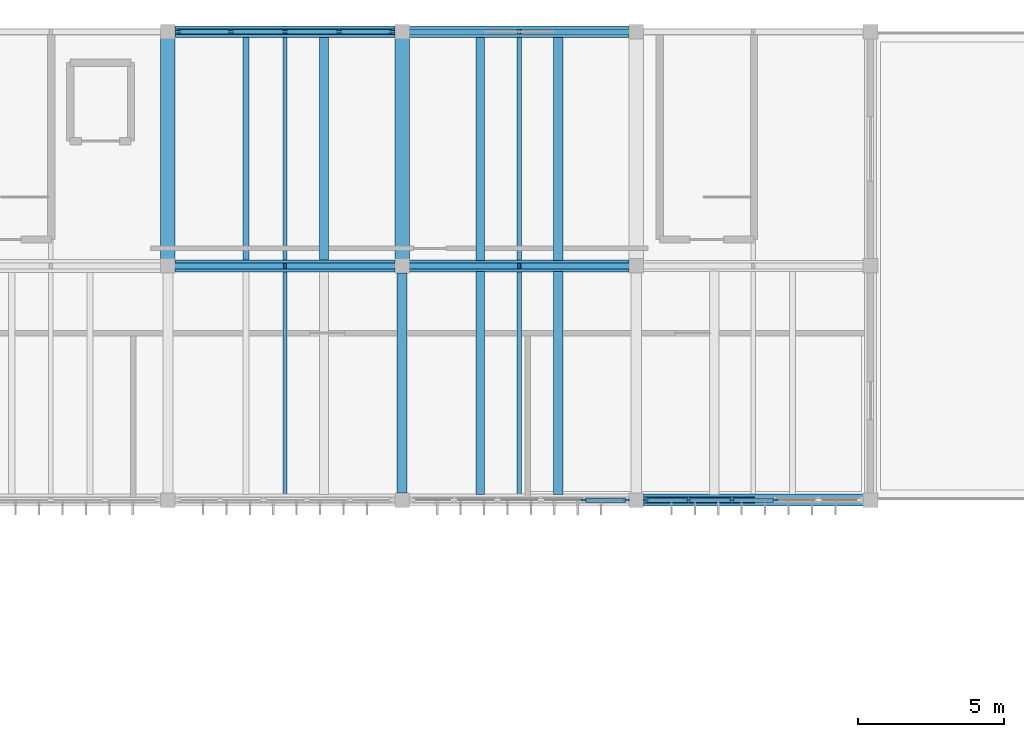
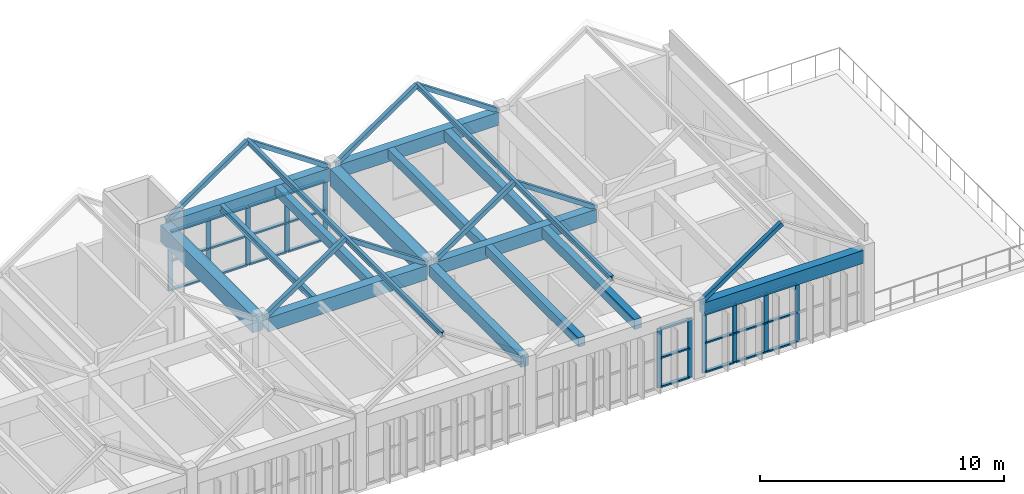
# One storey, part 12 of 31: 46 members, 14 beams, 3 elements without a shape of their own.
"""IFC4 building model written with IfcOpenShell, lengths in metres."""

from ifc_helpers import new_model, si_unit, direction, frame, origin, origin_2d, place, context, subcontext, project, spatial, rectangle, hollow_rectangle, i_section, extrude, material, material_profile, profile_set, type_object, element, aggregate, save


model = new_model("IFC4")

# Units and contexts
model_context = context("Model", 3, precision=1e-05, world=origin(), true_north=direction((0.0, 1.0)))
body_context = subcontext(model_context, "Body", "Model", "MODEL_VIEW")
ifc_project = project(units=[si_unit("LENGTHUNIT", "METRE"), si_unit("AREAUNIT", "SQUARE_METRE"), si_unit("VOLUMEUNIT", "CUBIC_METRE"), si_unit("PLANEANGLEUNIT", "RADIAN"), si_unit("MASSUNIT", "GRAM", prefix="KILO")], contexts=[model_context])

# Site, building, storey
site_placement = place(None, origin())
site = spatial("IfcSite", under=ifc_project, at=site_placement, CompositionType="ELEMENT")
building_placement = place(site_placement, origin())
building = spatial("IfcBuilding", under=site, at=building_placement, Name="Tlaxcora Railside Police Headquarters", CompositionType="ELEMENT")
storey_placement = place(building_placement, frame((0.0, 0.0, 18.0)))
storey = spatial("IfcBuildingStorey", under=building, at=storey_placement, Name="L04", CompositionType="ELEMENT", Elevation=18.0)

# Curtain wall, members
ifc_material_1 = material(Name="Thermally broken low-E insulated glazing", Category="glass")
curtain_wall_type_1 = type_object("IfcCurtainWallType", Name="Unitised Curtain Wall Assembly CW-38", PredefinedType="NOTDEFINED", material=ifc_material_1)
curtain_wall_1_placement = place(storey_placement, origin())
curtain_wall_1 = element("IfcCurtainWall", 1, at=curtain_wall_1_placement, inside=storey, type_object=curtain_wall_type_1, Name="V6 L04 curtain wall 173", PredefinedType="NOTDEFINED")
ifc_material_2 = material(Name="Anodised aluminium framing", Category="aluminium")
ifc_material_profile_1 = material_profile(ifc_material_2, rectangle(XDim=0.074951171875, YDim=0.205078125, at=origin_2d()), Name="AL75X205")
ifc_profile_set_1 = profile_set([ifc_material_profile_1], Name="Anodised aluminium framing")
member_type_1 = type_object("IfcMemberType", Name="Curtain Wall Mullion CW-32", PredefinedType="MULLION", material=ifc_profile_set_1)
member_1_placement = place(storey_placement, frame((133.02001953125, 76.800048828125, 0.0), z_axis=(0.0, 0.0, 1.0), x_axis=(0.0, 1.0, 0.0)))
member_1 = element("IfcMember", 2, at=member_1_placement, type_object=member_type_1, Name="CW mullion 5", PredefinedType="MULLION", context=body_context, shape_type="SweptSolid", body=[
    extrude(rectangle(XDim=0.074951171875, YDim=0.205078125, at=origin_2d()), origin(), (0.0, 0.0, 1.0), 2.9599609375),
])
member_2_placement = place(storey_placement, frame((134.46240234375, 76.800048828125, 0.0), z_axis=(0.0, 0.0, 1.0), x_axis=(0.0, 1.0, 0.0)))
member_2 = element("IfcMember", 3, at=member_2_placement, type_object=member_type_1, Name="CW mullion 6", PredefinedType="MULLION", context=body_context, shape_type="SweptSolid", body=[
    extrude(rectangle(XDim=0.074951171875, YDim=0.205078125, at=origin_2d()), origin(), (0.0, 0.0, 1.0), 2.9599609375),
])

curtain_wall_type_2 = type_object("IfcCurtainWallType", Name="Unitised Curtain Wall Assembly CW-15", PredefinedType="NOTDEFINED", material=ifc_material_1)
curtain_wall_2_placement = place(storey_placement, origin())
curtain_wall_2 = element("IfcCurtainWall", 4, at=curtain_wall_2_placement, inside=storey, type_object=curtain_wall_type_2, Name="V6 L04 curtain wall 174", PredefinedType="NOTDEFINED")
ifc_material_profile_2 = material_profile(ifc_material_2, rectangle(XDim=0.074951171875, YDim=0.199951171875, at=origin_2d()), Name="AL75X200")
ifc_profile_set_2 = profile_set([ifc_material_profile_2], Name="Anodised aluminium framing")
member_type_2 = type_object("IfcMemberType", Name="Curtain Wall Mullion CW-58", PredefinedType="MULLION", material=ifc_profile_set_2)
member_3_placement = place(storey_placement, frame((135.137451171875, 76.800048828125, 0.0), z_axis=(0.0, 0.0, 1.0), x_axis=(0.0, 1.0, 0.0)))
member_3 = element("IfcMember", 5, at=member_3_placement, type_object=member_type_2, Name="CW mullion 1", PredefinedType="MULLION", context=body_context, shape_type="SweptSolid", body=[
    extrude(rectangle(XDim=0.074951171875, YDim=0.199951171875, at=origin_2d()), origin(), (0.0, 0.0, 1.0), 2.9599609375),
])
member_4_placement = place(storey_placement, frame((136.580078125, 76.800048828125, 0.0), z_axis=(0.0, 0.0, 1.0), x_axis=(0.0, 1.0, 0.0)))
member_4 = element("IfcMember", 6, at=member_4_placement, type_object=member_type_2, Name="CW mullion 2", PredefinedType="MULLION", context=body_context, shape_type="SweptSolid", body=[
    extrude(rectangle(XDim=0.074951171875, YDim=0.199951171875, at=origin_2d()), origin(), (0.0, 0.0, 1.0), 2.9599609375),
])
member_5_placement = place(storey_placement, frame((138.06005859375, 76.800048828125, 0.0), z_axis=(0.0, 0.0, 1.0), x_axis=(0.0, 1.0, 0.0)))
member_5 = element("IfcMember", 7, at=member_5_placement, type_object=member_type_2, Name="CW mullion 3", PredefinedType="MULLION", context=body_context, shape_type="SweptSolid", body=[
    extrude(rectangle(XDim=0.074951171875, YDim=0.199951171875, at=origin_2d()), origin(), (0.0, 0.0, 1.0), 2.9599609375),
])
member_6_placement = place(storey_placement, frame((139.5400390625, 76.800048828125, 0.0), z_axis=(0.0, 0.0, 1.0), x_axis=(0.0, 1.0, 0.0)))
member_6 = element("IfcMember", 8, at=member_6_placement, type_object=member_type_2, Name="CW mullion 4", PredefinedType="MULLION", context=body_context, shape_type="SweptSolid", body=[
    extrude(rectangle(XDim=0.074951171875, YDim=0.199951171875, at=origin_2d()), origin(), (0.0, 0.0, 1.0), 2.9599609375),
])

curtain_wall_type_3 = type_object("IfcCurtainWallType", Name="Unitised Curtain Wall Assembly CW-83", PredefinedType="NOTDEFINED", material=ifc_material_1)
curtain_wall_3_placement = place(storey_placement, origin())
curtain_wall_3 = element("IfcCurtainWall", 9, at=curtain_wall_3_placement, inside=storey, type_object=curtain_wall_type_3, Name="V6 L04 curtain wall 175", PredefinedType="NOTDEFINED")
ifc_material_profile_3 = material_profile(ifc_material_2, rectangle(XDim=0.080078125, YDim=0.2099609375, at=origin_2d()), Name="AL80X210")
ifc_profile_set_3 = profile_set([ifc_material_profile_3], Name="Anodised aluminium framing")
member_type_3 = type_object("IfcMemberType", Name="Curtain Wall Mullion CW-76", PredefinedType="MULLION", material=ifc_profile_set_3)
member_7_placement = place(storey_placement, frame((126.4599609375, 92.800048828125, 0.0), z_axis=(0.0, 0.0, 1.0), x_axis=(0.0, -1.0, 0.0)))
member_7 = element("IfcMember", 10, at=member_7_placement, type_object=member_type_3, Name="CW mullion 1", PredefinedType="MULLION", context=body_context, shape_type="SweptSolid", body=[
    extrude(rectangle(XDim=0.080078125, YDim=0.2099609375, at=origin_2d()), origin(), (0.0, 0.0, 1.0), 2.9599609375),
])
member_8_placement = place(storey_placement, frame((124.64990234375, 92.800048828125, 0.0), z_axis=(0.0, 0.0, 1.0), x_axis=(0.0, -1.0, 0.0)))
member_8 = element("IfcMember", 11, at=member_8_placement, type_object=member_type_3, Name="CW mullion 2", PredefinedType="MULLION", context=body_context, shape_type="SweptSolid", body=[
    extrude(rectangle(XDim=0.080078125, YDim=0.2099609375, at=origin_2d()), origin(), (0.0, 0.0, 1.0), 2.9599609375),
])
member_9_placement = place(storey_placement, frame((122.800048828125, 92.800048828125, 0.0), z_axis=(0.0, 0.0, 1.0), x_axis=(0.0, -1.0, 0.0)))
member_9 = element("IfcMember", 12, at=member_9_placement, type_object=member_type_3, Name="CW mullion 3", PredefinedType="MULLION", context=body_context, shape_type="SweptSolid", body=[
    extrude(rectangle(XDim=0.080078125, YDim=0.2099609375, at=origin_2d()), origin(), (0.0, 0.0, 1.0), 2.9599609375),
])
member_10_placement = place(storey_placement, frame((120.949951171875, 92.800048828125, 0.0), z_axis=(0.0, 0.0, 1.0), x_axis=(0.0, -1.0, 0.0)))
member_10 = element("IfcMember", 13, at=member_10_placement, type_object=member_type_3, Name="CW mullion 4", PredefinedType="MULLION", context=body_context, shape_type="SweptSolid", body=[
    extrude(rectangle(XDim=0.080078125, YDim=0.2099609375, at=origin_2d()), origin(), (0.0, 0.0, 1.0), 2.9599609375),
])
member_11_placement = place(storey_placement, frame((119.139892578125, 92.800048828125, 0.0), z_axis=(0.0, 0.0, 1.0), x_axis=(0.0, -1.0, 0.0)))
member_11 = element("IfcMember", 14, at=member_11_placement, type_object=member_type_3, Name="CW mullion 5", PredefinedType="MULLION", context=body_context, shape_type="SweptSolid", body=[
    extrude(rectangle(XDim=0.080078125, YDim=0.2099609375, at=origin_2d()), origin(), (0.0, 0.0, 1.0), 2.9599609375),
])

# Member
ifc_material_profile_4 = material_profile(ifc_material_2, rectangle(XDim=0.14990234375, YDim=0.074951171875, at=origin_2d()), Name="AL75X150")
ifc_profile_set_4 = profile_set([ifc_material_profile_4], Name="Anodised aluminium framing")
member_type_4 = type_object("IfcMemberType", Name="Curtain Wall Transom CW-28", PredefinedType="USERDEFINED", material=ifc_profile_set_4)
member_12_placement = place(storey_placement, frame((135.175048828125, 76.800048828125, 0.03759765625), z_axis=(1.0, 0.0, 0.0), x_axis=(0.0, 1.0, 0.0)))
member_12 = element("IfcMember", 15, at=member_12_placement, type_object=member_type_4, Name="CW transom 1.1", ObjectType="TRANSOM", PredefinedType="USERDEFINED", context=body_context, shape_type="SweptSolid", body=[
    extrude(rectangle(XDim=0.14990234375, YDim=0.074951171875, at=origin_2d()), origin(), (0.0, 0.0, 1.0), 1.367431640625),
])

member_13_placement = place(storey_placement, frame((135.175048828125, 76.800048828125, 1.489990234375), z_axis=(1.0, 0.0, 0.0), x_axis=(0.0, 1.0, 0.0)))
member_13 = element("IfcMember", 16, at=member_13_placement, type_object=member_type_4, Name="CW transom 1.2", ObjectType="TRANSOM", PredefinedType="USERDEFINED", context=body_context, shape_type="SweptSolid", body=[
    extrude(rectangle(XDim=0.14990234375, YDim=0.074951171875, at=origin_2d()), origin(), (0.0, 0.0, 1.0), 1.367431640625),
])

member_14_placement = place(storey_placement, frame((135.175048828125, 76.800048828125, 2.922607421875), z_axis=(1.0, 0.0, 0.0), x_axis=(0.0, 1.0, 0.0)))
member_14 = element("IfcMember", 17, at=member_14_placement, type_object=member_type_4, Name="CW transom 1.3", ObjectType="TRANSOM", PredefinedType="USERDEFINED", context=body_context, shape_type="SweptSolid", body=[
    extrude(rectangle(XDim=0.14990234375, YDim=0.074951171875, at=origin_2d()), origin(), (0.0, 0.0, 1.0), 1.367431640625),
])

member_15_placement = place(storey_placement, frame((136.617431640625, 76.800048828125, 0.03759765625), z_axis=(1.0, 0.0, 0.0), x_axis=(0.0, 1.0, 0.0)))
member_15 = element("IfcMember", 18, at=member_15_placement, type_object=member_type_4, Name="CW transom 2.1", ObjectType="TRANSOM", PredefinedType="USERDEFINED", context=body_context, shape_type="SweptSolid", body=[
    extrude(rectangle(XDim=0.14990234375, YDim=0.074951171875, at=origin_2d()), origin(), (0.0, 0.0, 1.0), 1.405029296875),
])

member_16_placement = place(storey_placement, frame((136.617431640625, 76.800048828125, 1.489990234375), z_axis=(1.0, 0.0, 0.0), x_axis=(0.0, 1.0, 0.0)))
member_16 = element("IfcMember", 19, at=member_16_placement, type_object=member_type_4, Name="CW transom 2.2", ObjectType="TRANSOM", PredefinedType="USERDEFINED", context=body_context, shape_type="SweptSolid", body=[
    extrude(rectangle(XDim=0.14990234375, YDim=0.074951171875, at=origin_2d()), origin(), (0.0, 0.0, 1.0), 1.405029296875),
])

member_17_placement = place(storey_placement, frame((136.617431640625, 76.800048828125, 2.922607421875), z_axis=(1.0, 0.0, 0.0), x_axis=(0.0, 1.0, 0.0)))
member_17 = element("IfcMember", 20, at=member_17_placement, type_object=member_type_4, Name="CW transom 2.3", ObjectType="TRANSOM", PredefinedType="USERDEFINED", context=body_context, shape_type="SweptSolid", body=[
    extrude(rectangle(XDim=0.14990234375, YDim=0.074951171875, at=origin_2d()), origin(), (0.0, 0.0, 1.0), 1.405029296875),
])

member_18_placement = place(storey_placement, frame((138.097412109375, 76.800048828125, 0.03759765625), z_axis=(1.0, 0.0, 0.0), x_axis=(0.0, 1.0, 0.0)))
member_18 = element("IfcMember", 21, at=member_18_placement, type_object=member_type_4, Name="CW transom 3.1", ObjectType="TRANSOM", PredefinedType="USERDEFINED", context=body_context, shape_type="SweptSolid", body=[
    extrude(rectangle(XDim=0.14990234375, YDim=0.074951171875, at=origin_2d()), origin(), (0.0, 0.0, 1.0), 1.405029296875),
])

member_19_placement = place(storey_placement, frame((138.097412109375, 76.800048828125, 1.489990234375), z_axis=(1.0, 0.0, 0.0), x_axis=(0.0, 1.0, 0.0)))
member_19 = element("IfcMember", 22, at=member_19_placement, type_object=member_type_4, Name="CW transom 3.2", ObjectType="TRANSOM", PredefinedType="USERDEFINED", context=body_context, shape_type="SweptSolid", body=[
    extrude(rectangle(XDim=0.14990234375, YDim=0.074951171875, at=origin_2d()), origin(), (0.0, 0.0, 1.0), 1.405029296875),
])

member_20_placement = place(storey_placement, frame((138.097412109375, 76.800048828125, 2.922607421875), z_axis=(1.0, 0.0, 0.0), x_axis=(0.0, 1.0, 0.0)))
member_20 = element("IfcMember", 23, at=member_20_placement, type_object=member_type_4, Name="CW transom 3.3", ObjectType="TRANSOM", PredefinedType="USERDEFINED", context=body_context, shape_type="SweptSolid", body=[
    extrude(rectangle(XDim=0.14990234375, YDim=0.074951171875, at=origin_2d()), origin(), (0.0, 0.0, 1.0), 1.405029296875),
])

aggregate(curtain_wall_2, [member_3, member_4, member_5, member_6, member_12, member_13, member_14, member_15, member_16, member_17, member_18, member_19, member_20])

ifc_material_profile_5 = material_profile(ifc_material_2, rectangle(XDim=0.155029296875, YDim=0.074951171875, at=origin_2d()), Name="AL75X155")
ifc_profile_set_5 = profile_set([ifc_material_profile_5], Name="Anodised aluminium framing")
member_type_5 = type_object("IfcMemberType", Name="Curtain Wall Transom CW-30", PredefinedType="USERDEFINED", material=ifc_profile_set_5)
member_21_placement = place(storey_placement, frame((133.0576171875, 76.800048828125, 0.03759765625), z_axis=(1.0, 0.0, 0.0), x_axis=(0.0, 1.0, 0.0)))
member_21 = element("IfcMember", 24, at=member_21_placement, type_object=member_type_5, Name="CW transom 5.1", ObjectType="TRANSOM", PredefinedType="USERDEFINED", context=body_context, shape_type="SweptSolid", body=[
    extrude(rectangle(XDim=0.155029296875, YDim=0.074951171875, at=origin_2d()), origin(), (0.0, 0.0, 1.0), 1.367431640625),
])

member_22_placement = place(storey_placement, frame((133.0576171875, 76.800048828125, 1.489990234375), z_axis=(1.0, 0.0, 0.0), x_axis=(0.0, 1.0, 0.0)))
member_22 = element("IfcMember", 25, at=member_22_placement, type_object=member_type_5, Name="CW transom 5.2", ObjectType="TRANSOM", PredefinedType="USERDEFINED", context=body_context, shape_type="SweptSolid", body=[
    extrude(rectangle(XDim=0.155029296875, YDim=0.074951171875, at=origin_2d()), origin(), (0.0, 0.0, 1.0), 1.367431640625),
])

member_23_placement = place(storey_placement, frame((133.0576171875, 76.800048828125, 2.922607421875), z_axis=(1.0, 0.0, 0.0), x_axis=(0.0, 1.0, 0.0)))
member_23 = element("IfcMember", 26, at=member_23_placement, type_object=member_type_5, Name="CW transom 5.3", ObjectType="TRANSOM", PredefinedType="USERDEFINED", context=body_context, shape_type="SweptSolid", body=[
    extrude(rectangle(XDim=0.155029296875, YDim=0.074951171875, at=origin_2d()), origin(), (0.0, 0.0, 1.0), 1.367431640625),
])

aggregate(curtain_wall_1, [member_1, member_2, member_21, member_22, member_23])

ifc_material_profile_6 = material_profile(ifc_material_2, rectangle(XDim=0.159912109375, YDim=0.080078125, at=origin_2d()), Name="AL80X160")
ifc_profile_set_6 = profile_set([ifc_material_profile_6], Name="Anodised aluminium framing")
member_type_6 = type_object("IfcMemberType", Name="Curtain Wall Transom CW-82", PredefinedType="USERDEFINED", material=ifc_profile_set_6)
member_24_placement = place(storey_placement, frame((126.419921875, 92.800048828125, 0.0400390625), z_axis=(-1.0, 0.0, 0.0), x_axis=(0.0, -1.0, 0.0)))
member_24 = element("IfcMember", 27, at=member_24_placement, type_object=member_type_6, Name="CW transom 1.1", ObjectType="TRANSOM", PredefinedType="USERDEFINED", context=body_context, shape_type="SweptSolid", body=[
    extrude(rectangle(XDim=0.159912109375, YDim=0.080078125, at=origin_2d()), origin(), (0.0, 0.0, 1.0), 1.72998046875),
])

member_25_placement = place(storey_placement, frame((126.419921875, 92.800048828125, 1.489990234375), z_axis=(-1.0, 0.0, 0.0), x_axis=(0.0, -1.0, 0.0)))
member_25 = element("IfcMember", 28, at=member_25_placement, type_object=member_type_6, Name="CW transom 1.2", ObjectType="TRANSOM", PredefinedType="USERDEFINED", context=body_context, shape_type="SweptSolid", body=[
    extrude(rectangle(XDim=0.159912109375, YDim=0.080078125, at=origin_2d()), origin(), (0.0, 0.0, 1.0), 1.72998046875),
])

member_26_placement = place(storey_placement, frame((126.419921875, 92.800048828125, 2.919921875), z_axis=(-1.0, 0.0, 0.0), x_axis=(0.0, -1.0, 0.0)))
member_26 = element("IfcMember", 29, at=member_26_placement, type_object=member_type_6, Name="CW transom 1.3", ObjectType="TRANSOM", PredefinedType="USERDEFINED", context=body_context, shape_type="SweptSolid", body=[
    extrude(rectangle(XDim=0.159912109375, YDim=0.080078125, at=origin_2d()), origin(), (0.0, 0.0, 1.0), 1.72998046875),
])

member_27_placement = place(storey_placement, frame((124.610107421875, 92.800048828125, 0.0400390625), z_axis=(-1.0, 0.0, 0.0), x_axis=(0.0, -1.0, 0.0)))
member_27 = element("IfcMember", 30, at=member_27_placement, type_object=member_type_6, Name="CW transom 2.1", ObjectType="TRANSOM", PredefinedType="USERDEFINED", context=body_context, shape_type="SweptSolid", body=[
    extrude(rectangle(XDim=0.159912109375, YDim=0.080078125, at=origin_2d()), origin(), (0.0, 0.0, 1.0), 1.77001953125),
])

member_28_placement = place(storey_placement, frame((124.610107421875, 92.800048828125, 1.489990234375), z_axis=(-1.0, 0.0, 0.0), x_axis=(0.0, -1.0, 0.0)))
member_28 = element("IfcMember", 31, at=member_28_placement, type_object=member_type_6, Name="CW transom 2.2", ObjectType="TRANSOM", PredefinedType="USERDEFINED", context=body_context, shape_type="SweptSolid", body=[
    extrude(rectangle(XDim=0.159912109375, YDim=0.080078125, at=origin_2d()), origin(), (0.0, 0.0, 1.0), 1.77001953125),
])

member_29_placement = place(storey_placement, frame((124.610107421875, 92.800048828125, 2.919921875), z_axis=(-1.0, 0.0, 0.0), x_axis=(0.0, -1.0, 0.0)))
member_29 = element("IfcMember", 32, at=member_29_placement, type_object=member_type_6, Name="CW transom 2.3", ObjectType="TRANSOM", PredefinedType="USERDEFINED", context=body_context, shape_type="SweptSolid", body=[
    extrude(rectangle(XDim=0.159912109375, YDim=0.080078125, at=origin_2d()), origin(), (0.0, 0.0, 1.0), 1.77001953125),
])

member_30_placement = place(storey_placement, frame((122.760009765625, 92.800048828125, 0.0400390625), z_axis=(-1.0, 0.0, 0.0), x_axis=(0.0, -1.0, 0.0)))
member_30 = element("IfcMember", 33, at=member_30_placement, type_object=member_type_6, Name="CW transom 3.1", ObjectType="TRANSOM", PredefinedType="USERDEFINED", context=body_context, shape_type="SweptSolid", body=[
    extrude(rectangle(XDim=0.159912109375, YDim=0.080078125, at=origin_2d()), origin(), (0.0, 0.0, 1.0), 1.77001953125),
])

member_31_placement = place(storey_placement, frame((122.760009765625, 92.800048828125, 1.489990234375), z_axis=(-1.0, 0.0, 0.0), x_axis=(0.0, -1.0, 0.0)))
member_31 = element("IfcMember", 34, at=member_31_placement, type_object=member_type_6, Name="CW transom 3.2", ObjectType="TRANSOM", PredefinedType="USERDEFINED", context=body_context, shape_type="SweptSolid", body=[
    extrude(rectangle(XDim=0.159912109375, YDim=0.080078125, at=origin_2d()), origin(), (0.0, 0.0, 1.0), 1.77001953125),
])

member_32_placement = place(storey_placement, frame((122.760009765625, 92.800048828125, 2.919921875), z_axis=(-1.0, 0.0, 0.0), x_axis=(0.0, -1.0, 0.0)))
member_32 = element("IfcMember", 35, at=member_32_placement, type_object=member_type_6, Name="CW transom 3.3", ObjectType="TRANSOM", PredefinedType="USERDEFINED", context=body_context, shape_type="SweptSolid", body=[
    extrude(rectangle(XDim=0.159912109375, YDim=0.080078125, at=origin_2d()), origin(), (0.0, 0.0, 1.0), 1.77001953125),
])

member_33_placement = place(storey_placement, frame((120.909912109375, 92.800048828125, 0.0400390625), z_axis=(-1.0, 0.0, 0.0), x_axis=(0.0, -1.0, 0.0)))
member_33 = element("IfcMember", 36, at=member_33_placement, type_object=member_type_6, Name="CW transom 4.1", ObjectType="TRANSOM", PredefinedType="USERDEFINED", context=body_context, shape_type="SweptSolid", body=[
    extrude(rectangle(XDim=0.159912109375, YDim=0.080078125, at=origin_2d()), origin(), (0.0, 0.0, 1.0), 1.72998046875),
])

member_34_placement = place(storey_placement, frame((120.909912109375, 92.800048828125, 1.489990234375), z_axis=(-1.0, 0.0, 0.0), x_axis=(0.0, -1.0, 0.0)))
member_34 = element("IfcMember", 37, at=member_34_placement, type_object=member_type_6, Name="CW transom 4.2", ObjectType="TRANSOM", PredefinedType="USERDEFINED", context=body_context, shape_type="SweptSolid", body=[
    extrude(rectangle(XDim=0.159912109375, YDim=0.080078125, at=origin_2d()), origin(), (0.0, 0.0, 1.0), 1.72998046875),
])

member_35_placement = place(storey_placement, frame((120.909912109375, 92.800048828125, 2.919921875), z_axis=(-1.0, 0.0, 0.0), x_axis=(0.0, -1.0, 0.0)))
member_35 = element("IfcMember", 38, at=member_35_placement, type_object=member_type_6, Name="CW transom 4.3", ObjectType="TRANSOM", PredefinedType="USERDEFINED", context=body_context, shape_type="SweptSolid", body=[
    extrude(rectangle(XDim=0.159912109375, YDim=0.080078125, at=origin_2d()), origin(), (0.0, 0.0, 1.0), 1.72998046875),
])

aggregate(curtain_wall_3, [member_7, member_8, member_9, member_10, member_11, member_24, member_25, member_26, member_27, member_28, member_29, member_30, member_31, member_32, member_33, member_34, member_35])

# Members
ifc_material_3 = material(Name="Steel ASTM A992 Grade 50", Category="steel")
ifc_material_profile_7 = material_profile(ifc_material_3, hollow_rectangle(XDim=0.199951171875, YDim=0.199951171875, WallThickness=0.010009765625, at=origin_2d()), Name="HSS200X200X10")
ifc_profile_set_7 = profile_set([ifc_material_profile_7], Name="Steel ASTM A992 Grade 50")
member_type_7 = type_object("IfcMemberType", Name="Diagonal Brace Member MB-51", PredefinedType="BRACE", material=ifc_profile_set_7)
member_36_placement = place(storey_placement, frame((118.949951171875, 84.800048828125, 3.580078125), z_axis=(0.826746068504, 0.0, 0.562575273375), x_axis=(0.0, 1.0, 0.0)))
element("IfcMember", 39, at=member_36_placement, inside=storey, type_object=member_type_7, Name="V6 rafter 3W", PredefinedType="BRACE", context=body_context, shape_type="SweptSolid", body=[
    extrude(hollow_rectangle(XDim=0.199951171875, YDim=0.199951171875, WallThickness=0.010009765625, at=origin_2d()), origin(), (0.0, 0.0, 1.0), 4.656982421875),
])
member_37_placement = place(storey_placement, frame((126.64990234375, 84.800048828125, 3.580078125), z_axis=(-0.826729475311, 0.0, 0.562599657529), x_axis=(0.0, -1.0, 0.0)))
element("IfcMember", 40, at=member_37_placement, inside=storey, type_object=member_type_7, Name="V6 rafter 3E", PredefinedType="BRACE", context=body_context, shape_type="SweptSolid", body=[
    extrude(hollow_rectangle(XDim=0.199951171875, YDim=0.199951171875, WallThickness=0.010009765625, at=origin_2d()), origin(), (0.0, 0.0, 1.0), 4.65673828125),
])
member_38_placement = place(storey_placement, frame((118.949951171875, 92.800048828125, 3.580078125), z_axis=(0.826746068504, 0.0, 0.562575273375), x_axis=(0.0, 1.0, 0.0)))
element("IfcMember", 41, at=member_38_placement, inside=storey, type_object=member_type_7, Name="V6 rafter 3W", PredefinedType="BRACE", context=body_context, shape_type="SweptSolid", body=[
    extrude(hollow_rectangle(XDim=0.199951171875, YDim=0.199951171875, WallThickness=0.010009765625, at=origin_2d()), origin(), (0.0, 0.0, 1.0), 4.656982421875),
])
member_39_placement = place(storey_placement, frame((126.64990234375, 92.800048828125, 3.580078125), z_axis=(-0.826729475311, 0.0, 0.562599657529), x_axis=(0.0, -1.0, 0.0)))
element("IfcMember", 42, at=member_39_placement, inside=storey, type_object=member_type_7, Name="V6 rafter 3E", PredefinedType="BRACE", context=body_context, shape_type="SweptSolid", body=[
    extrude(hollow_rectangle(XDim=0.199951171875, YDim=0.199951171875, WallThickness=0.010009765625, at=origin_2d()), origin(), (0.0, 0.0, 1.0), 4.65673828125),
])
member_40_placement = place(storey_placement, frame((126.949951171875, 84.800048828125, 3.580078125), z_axis=(0.826746068504, 0.0, 0.562575273375), x_axis=(0.0, 1.0, 0.0)))
element("IfcMember", 43, at=member_40_placement, inside=storey, type_object=member_type_7, Name="V6 rafter 4W", PredefinedType="BRACE", context=body_context, shape_type="SweptSolid", body=[
    extrude(hollow_rectangle(XDim=0.199951171875, YDim=0.199951171875, WallThickness=0.010009765625, at=origin_2d()), origin(), (0.0, 0.0, 1.0), 4.656982421875),
])
member_41_placement = place(storey_placement, frame((134.64990234375, 84.800048828125, 3.580078125), z_axis=(-0.826729475311, 0.0, 0.562599657529), x_axis=(0.0, -1.0, 0.0)))
element("IfcMember", 44, at=member_41_placement, inside=storey, type_object=member_type_7, Name="V6 rafter 4E", PredefinedType="BRACE", context=body_context, shape_type="SweptSolid", body=[
    extrude(hollow_rectangle(XDim=0.199951171875, YDim=0.199951171875, WallThickness=0.010009765625, at=origin_2d()), origin(), (0.0, 0.0, 1.0), 4.65673828125),
])
member_42_placement = place(storey_placement, frame((126.949951171875, 92.800048828125, 3.580078125), z_axis=(0.826746068504, 0.0, 0.562575273375), x_axis=(0.0, 1.0, 0.0)))
element("IfcMember", 45, at=member_42_placement, inside=storey, type_object=member_type_7, Name="V6 rafter 4W", PredefinedType="BRACE", context=body_context, shape_type="SweptSolid", body=[
    extrude(hollow_rectangle(XDim=0.199951171875, YDim=0.199951171875, WallThickness=0.010009765625, at=origin_2d()), origin(), (0.0, 0.0, 1.0), 4.656982421875),
])
member_43_placement = place(storey_placement, frame((134.64990234375, 92.800048828125, 3.580078125), z_axis=(-0.826729475311, 0.0, 0.562599657529), x_axis=(0.0, -1.0, 0.0)))
element("IfcMember", 46, at=member_43_placement, inside=storey, type_object=member_type_7, Name="V6 rafter 4E", PredefinedType="BRACE", context=body_context, shape_type="SweptSolid", body=[
    extrude(hollow_rectangle(XDim=0.199951171875, YDim=0.199951171875, WallThickness=0.010009765625, at=origin_2d()), origin(), (0.0, 0.0, 1.0), 4.65673828125),
])
member_44_placement = place(storey_placement, frame((134.949951171875, 76.800048828125, 3.580078125), z_axis=(0.826746068504, 0.0, 0.562575273375), x_axis=(0.0, 1.0, 0.0)))
element("IfcMember", 47, at=member_44_placement, inside=storey, type_object=member_type_7, Name="V6 rafter 5W", PredefinedType="BRACE", context=body_context, shape_type="SweptSolid", body=[
    extrude(hollow_rectangle(XDim=0.199951171875, YDim=0.199951171875, WallThickness=0.010009765625, at=origin_2d()), origin(), (0.0, 0.0, 1.0), 4.656982421875),
])

# Beams
ifc_material_4 = material(Name="Concrete C40/50", Category="concrete")
ifc_material_profile_8 = material_profile(ifc_material_4, rectangle(XDim=0.39990234375, YDim=0.64990234375, at=origin_2d()), Name="RC400X650")
ifc_profile_set_8 = profile_set([ifc_material_profile_8], Name="Concrete C40/50")
beam_type_1 = type_object("IfcBeamType", Name="Perimeter Spandrel Beam BM-46", PredefinedType="SPANDREL", material=ifc_profile_set_8)
for number, where, z_axis, x_axis, name in (
    (48, (135.0400390625, 76.800048828125, 3.304931640625), (1.0, 0.0, 0.0), (0.0, 1.0, 0.0), "V6 L04 X-girder Y=76.8"),
    (49, (119.0400390625, 92.800048828125, 3.304931640625), (1.0, 0.0, 0.0), (0.0, 1.0, 0.0), "V6 L04 X-girder Y=92.8"),
    (50, (127.0400390625, 92.800048828125, 3.304931640625), (1.0, 0.0, 0.0), (0.0, 1.0, 0.0), "V6 L04 X-girder Y=92.8"),
):
    element("IfcBeam", number, at=place(storey_placement, frame(where, z_axis=z_axis, x_axis=x_axis)), inside=storey, type_object=beam_type_1, Name=name, PredefinedType="SPANDREL", context=body_context, shape_type="SweptSolid", body=[
        extrude(rectangle(XDim=0.39990234375, YDim=0.64990234375, at=origin_2d()), origin(), (0.0, 0.0, 1.0), 7.52001953125),
    ])
ifc_material_profile_9 = material_profile(ifc_material_4, rectangle(XDim=0.419921875, YDim=0.699951171875, at=origin_2d()), Name="RC420X700")
ifc_profile_set_9 = profile_set([ifc_material_profile_9], Name="Concrete C40/50")
beam_type_2 = type_object("IfcBeamType", Name="Primary Frame Girder BM-35", PredefinedType="BEAM", material=ifc_profile_set_9)
beam_1_placement = place(storey_placement, frame((119.0400390625, 84.800048828125, 3.280029296875), z_axis=(1.0, 0.0, 0.0), x_axis=(0.0, 1.0, 0.0)))
element("IfcBeam", 51, at=beam_1_placement, inside=storey, type_object=beam_type_2, Name="V6 L04 X-girder Y=84.8", PredefinedType="BEAM", context=body_context, shape_type="SweptSolid", body=[
    extrude(rectangle(XDim=0.419921875, YDim=0.699951171875, at=origin_2d()), origin(), (0.0, 0.0, 1.0), 7.52001953125),
])
ifc_material_profile_10 = material_profile(ifc_material_4, rectangle(XDim=0.35009765625, YDim=0.550048828125, at=origin_2d()), Name="RC350X550")
ifc_profile_set_10 = profile_set([ifc_material_profile_10], Name="Concrete C40/50")
beam_type_3 = type_object("IfcBeamType", Name="Primary Frame Girder BM-39", PredefinedType="BEAM", material=ifc_profile_set_10)
beam_2_placement = place(storey_placement, frame((126.800048828125, 77.0400390625, 3.35498046875), z_axis=(0.0, 1.0, 0.0), x_axis=(-1.0, 0.0, 0.0)))
element("IfcBeam", 52, at=beam_2_placement, inside=storey, type_object=beam_type_3, Name="V6 L04 Y-girder X=126.8", PredefinedType="BEAM", context=body_context, shape_type="SweptSolid", body=[
    extrude(rectangle(XDim=0.35009765625, YDim=0.550048828125, at=origin_2d()), origin(), (0.0, 0.0, 1.0), 7.52001953125),
])
ifc_material_profile_11 = material_profile(ifc_material_4, rectangle(XDim=0.39990234375, YDim=0.64990234375, at=origin_2d()), Name="RC400X650")
ifc_profile_set_11 = profile_set([ifc_material_profile_11], Name="Concrete C40/50")
beam_type_4 = type_object("IfcBeamType", Name="Primary Frame Girder BM-41", PredefinedType="BEAM", material=ifc_profile_set_11)
beam_3_placement = place(storey_placement, frame((127.0400390625, 84.800048828125, 3.304931640625), z_axis=(1.0, 0.0, 0.0), x_axis=(0.0, 1.0, 0.0)))
element("IfcBeam", 53, at=beam_3_placement, inside=storey, type_object=beam_type_4, Name="V6 L04 X-girder Y=84.8", PredefinedType="BEAM", context=body_context, shape_type="SweptSolid", body=[
    extrude(rectangle(XDim=0.39990234375, YDim=0.64990234375, at=origin_2d()), origin(), (0.0, 0.0, 1.0), 7.52001953125),
])
ifc_material_profile_12 = material_profile(ifc_material_4, rectangle(XDim=0.5, YDim=0.85009765625, at=origin_2d()), Name="RC500X850")
ifc_profile_set_12 = profile_set([ifc_material_profile_12], Name="Concrete C40/50")
beam_type_5 = type_object("IfcBeamType", Name="Primary Frame Girder BM-64", PredefinedType="BEAM", material=ifc_profile_set_12)
for number, where, z_axis, x_axis, name in (
    (54, (118.800048828125, 85.0400390625, 3.205078125), (0.0, 1.0, 0.0), (-1.0, 0.0, 0.0), "V6 L04 Y-girder X=118.8"),
    (55, (126.800048828125, 85.0400390625, 3.205078125), (0.0, 1.0, 0.0), (-1.0, 0.0, 0.0), "V6 L04 Y-girder X=126.8"),
):
    element("IfcBeam", number, at=place(storey_placement, frame(where, z_axis=z_axis, x_axis=x_axis)), inside=storey, type_object=beam_type_5, Name=name, PredefinedType="BEAM", context=body_context, shape_type="SweptSolid", body=[
        extrude(rectangle(XDim=0.5, YDim=0.85009765625, at=origin_2d()), origin(), (0.0, 0.0, 1.0), 7.52001953125),
    ])

# Members
ifc_material_profile_13 = material_profile(ifc_material_3, i_section(OverallWidth=0.14599609375, OverallDepth=0.258056640625, WebThickness=0.006103515625, FlangeThickness=0.009033203125, at=origin_2d()), Name="W10X22")
ifc_profile_set_13 = profile_set([ifc_material_profile_13], Name="Steel ASTM A992 Grade 50")
member_type_8 = type_object("IfcMemberType", Name="Roof Purlin Member MB-93", PredefinedType="PURLIN", material=ifc_profile_set_13)
for number, where, z_axis, x_axis, name in (
    (56, (122.800048828125, 76.800048828125, 6.199951171875), (0.0, 1.0, 0.0), (-1.0, 0.0, 0.0), "V6 northlight ridge purlin 3"),
    (57, (130.800048828125, 76.800048828125, 6.199951171875), (0.0, 1.0, 0.0), (-1.0, 0.0, 0.0), "V6 northlight ridge purlin 4"),
):
    element("IfcMember", number, at=place(storey_placement, frame(where, z_axis=z_axis, x_axis=x_axis)), inside=storey, type_object=member_type_8, Name=name, PredefinedType="PURLIN", context=body_context, shape_type="SweptSolid", body=[
        extrude(i_section(OverallWidth=0.14599609375, OverallDepth=0.258056640625, WebThickness=0.006103515625, FlangeThickness=0.009033203125, at=origin_2d()), origin(), (0.0, 0.0, 1.0), 16.0),
    ])

# Beams
ifc_material_5 = material(Name="Concrete C35/45", Category="concrete")
ifc_material_profile_14 = material_profile(ifc_material_5, rectangle(XDim=0.300048828125, YDim=0.449951171875, at=origin_2d()), Name="RC300X450")
ifc_profile_set_14 = profile_set([ifc_material_profile_14], Name="Concrete C35/45")
beam_type_6 = type_object("IfcBeamType", Name="Secondary Floor Joist BM-27", PredefinedType="JOIST", material=ifc_profile_set_14)
beam_4_placement = place(storey_placement, frame((129.466796875, 76.991943359375, 3.405029296875), z_axis=(0.0, 1.0, 0.0), x_axis=(-1.0, 0.0, 0.0)))
element("IfcBeam", 58, at=beam_4_placement, inside=storey, type_object=beam_type_6, Name="V6 L04 floor joist X=129.47", PredefinedType="JOIST", context=body_context, shape_type="SweptSolid", body=[
    extrude(rectangle(XDim=0.300048828125, YDim=0.449951171875, at=origin_2d()), origin(), (0.0, 0.0, 1.0), 7.615966796875),
])
beam_5_placement = place(storey_placement, frame((124.13330078125, 85.001953125, 3.405029296875), z_axis=(0.0, 1.0, 0.0), x_axis=(-1.0, 0.0, 0.0)))
element("IfcBeam", 59, at=beam_5_placement, inside=storey, type_object=beam_type_6, Name="V6 L04 floor joist X=124.13", PredefinedType="JOIST", context=body_context, shape_type="SweptSolid", body=[
    extrude(rectangle(XDim=0.300048828125, YDim=0.449951171875, at=origin_2d()), origin(), (0.0, 0.0, 1.0), 7.60595703125),
])
beam_6_placement = place(storey_placement, frame((129.466796875, 84.991943359375, 3.405029296875), z_axis=(0.0, 1.0, 0.0), x_axis=(-1.0, 0.0, 0.0)))
element("IfcBeam", 60, at=beam_6_placement, inside=storey, type_object=beam_type_6, Name="V6 L04 floor joist X=129.47", PredefinedType="JOIST", context=body_context, shape_type="SweptSolid", body=[
    extrude(rectangle(XDim=0.300048828125, YDim=0.449951171875, at=origin_2d()), origin(), (0.0, 0.0, 1.0), 7.615966796875),
])
ifc_material_profile_15 = material_profile(ifc_material_5, rectangle(XDim=0.320068359375, YDim=0.5, at=origin_2d()), Name="RC320X500")
ifc_profile_set_15 = profile_set([ifc_material_profile_15], Name="Concrete C35/45")
beam_type_7 = type_object("IfcBeamType", Name="Secondary Floor Joist BM-88", PredefinedType="JOIST", material=ifc_profile_set_15)
for number, where, z_axis, x_axis, name in (
    (61, (132.13330078125, 76.991943359375, 3.3798828125), (0.0, 1.0, 0.0), (-1.0, 0.0, 0.0), "V6 L04 floor joist X=132.13"),
    (62, (132.13330078125, 84.991943359375, 3.3798828125), (0.0, 1.0, 0.0), (-1.0, 0.0, 0.0), "V6 L04 floor joist X=132.13"),
):
    element("IfcBeam", number, at=place(storey_placement, frame(where, z_axis=z_axis, x_axis=x_axis)), inside=storey, type_object=beam_type_7, Name=name, PredefinedType="JOIST", context=body_context, shape_type="SweptSolid", body=[
        extrude(rectangle(XDim=0.320068359375, YDim=0.5, at=origin_2d()), origin(), (0.0, 0.0, 1.0), 7.615966796875),
    ])
ifc_material_profile_16 = material_profile(ifc_material_3, i_section(OverallWidth=0.202880859375, OverallDepth=0.302978515625, WebThickness=0.007568359375, FlangeThickness=0.01318359375, at=origin_2d()), Name="W12X40")
ifc_profile_set_16 = profile_set([ifc_material_profile_16], Name="Steel ASTM A992 Grade 50")
beam_type_8 = type_object("IfcBeamType", Name="Secondary Floor Joist BM-96", PredefinedType="JOIST", material=ifc_profile_set_16)
beam_7_placement = place(storey_placement, frame((121.466796875, 85.001953125, 3.478515625), z_axis=(0.0, 1.0, 0.0), x_axis=(-1.0, 0.0, 0.0)))
element("IfcBeam", 63, at=beam_7_placement, inside=storey, type_object=beam_type_8, Name="V6 L04 floor joist X=121.47", PredefinedType="JOIST", context=body_context, shape_type="SweptSolid", body=[
    extrude(i_section(OverallWidth=0.202880859375, OverallDepth=0.302978515625, WebThickness=0.007568359375, FlangeThickness=0.01318359375, at=origin_2d()), origin(), (0.0, 0.0, 1.0), 7.60595703125),
])

save(model, "model.ifc")
